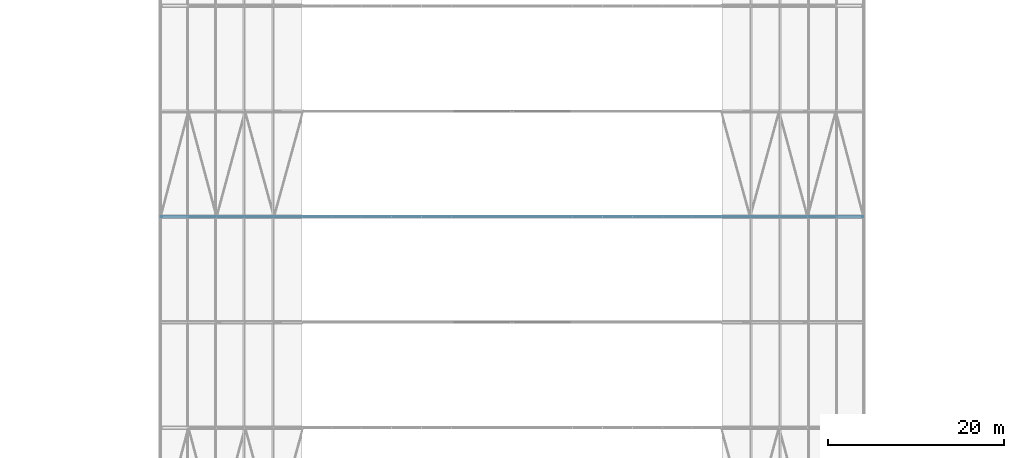
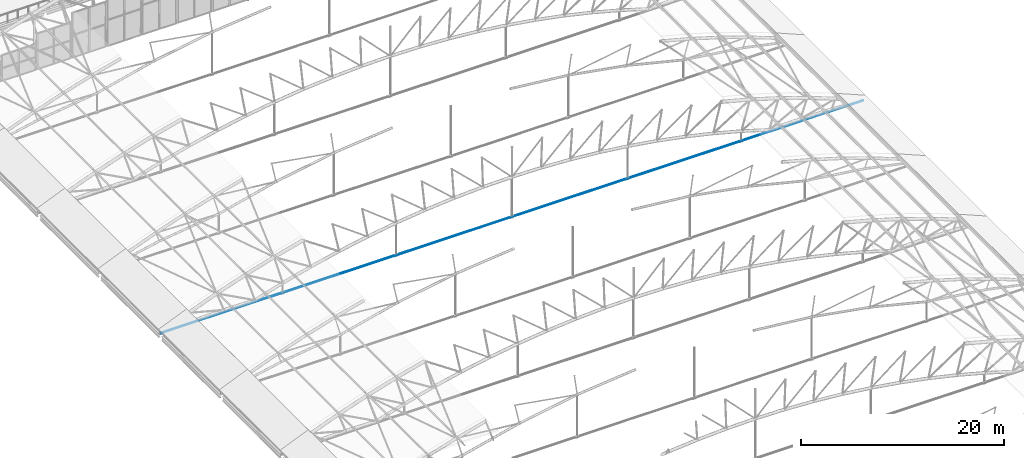
# One storey, part 155 of 321: 1 member.
"""IFC4 building model written with IfcOpenShell, lengths in metres."""

from ifc_helpers import new_model, si_unit, direction, frame, origin, origin_2d, place, context, subcontext, project, spatial, circle, extrude, material, material_profile, profile_set, type_object, element, save


model = new_model("IFC4")

# Units and contexts
model_context = context("Model", 3, precision=1e-05, world=origin(), true_north=direction((0.0, 1.0)))
body_context = subcontext(model_context, "Body", "Model", "MODEL_VIEW")
ifc_project = project(units=[si_unit("LENGTHUNIT", "METRE"), si_unit("AREAUNIT", "SQUARE_METRE"), si_unit("VOLUMEUNIT", "CUBIC_METRE"), si_unit("PLANEANGLEUNIT", "RADIAN"), si_unit("MASSUNIT", "GRAM", prefix="KILO")], contexts=[model_context])

# Site, building, storey
site_placement = place(None, origin())
site = spatial("IfcSite", under=ifc_project, at=site_placement, CompositionType="ELEMENT")
building_placement = place(site_placement, origin())
building = spatial("IfcBuilding", under=site, at=building_placement, Name="Ravi Spectrum Wholesale Market", CompositionType="ELEMENT")
storey_placement = place(building_placement, frame((0.0, 0.0, 10.800048828125)))
storey = spatial("IfcBuildingStorey", under=building, at=storey_placement, Name="L02", CompositionType="ELEMENT", Elevation=10.800048828125)

# Member
ifc_material = material(Name="Steel S460", Category="steel")
ifc_material_profile = material_profile(ifc_material, circle(Radius=0.044921875, at=origin_2d()))
ifc_profile_set = profile_set([ifc_material_profile], Name="Steel S460")
member_type = type_object("IfcMemberType", Name="ROD 90 tie", PredefinedType="BRACE", material=ifc_profile_set)
member_placement = place(storey_placement, frame((30.0, 150.0, 0.0), z_axis=(1.0, 0.0, 0.0), x_axis=(0.0, 1.0, 0.0)))
element("IfcMember", 1, at=member_placement, inside=storey, type_object=member_type, Name="H1-MB-L02-904", PredefinedType="BRACE", context=body_context, shape_type="SweptSolid", body=[
    extrude(circle(Radius=0.044921875, at=origin_2d()), origin(), (0.0, 0.0, 1.0), 80.0),
])

save(model, "model.ifc")
